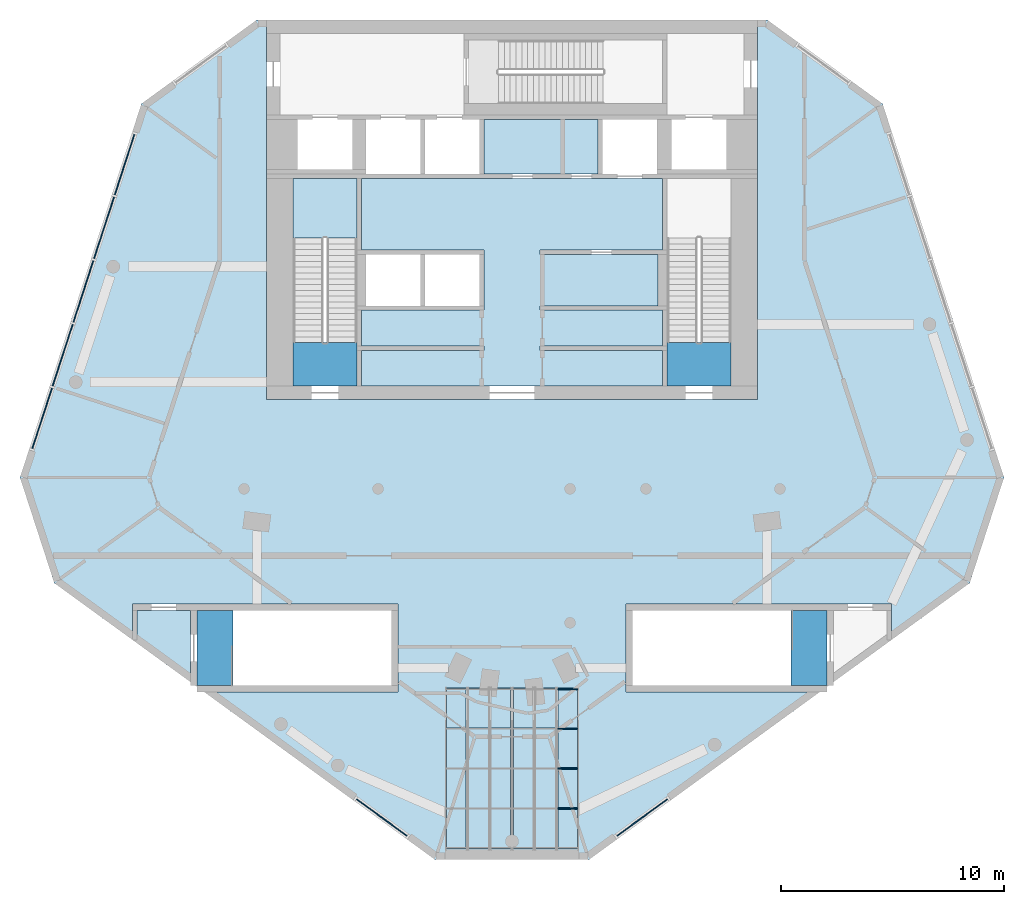
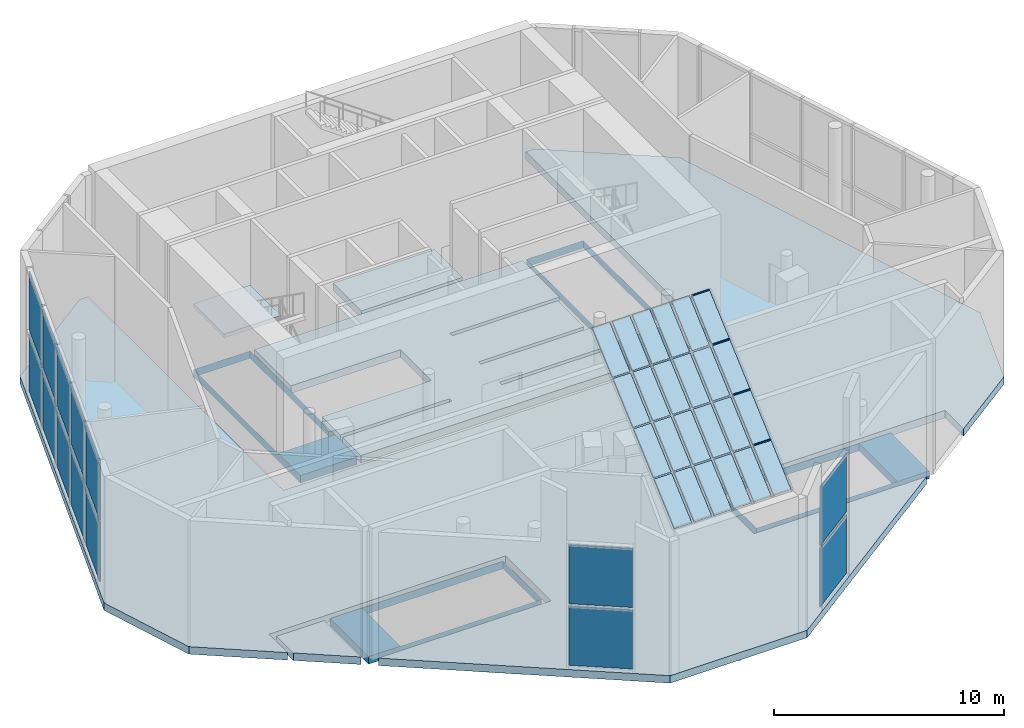
# One storey, part 3 of 9: 38 plates, 9 slabs, 4 members, 10 elements without a shape of their own.
"""IFC4 building model written with IfcOpenShell, lengths in metres."""

from ifc_helpers import new_model, si_unit, direction, frame, origin, origin_2d, place, context, subcontext, project, spatial, polyline, rectangle, outline, extrude, material, layer, layer_set, material_profile, profile_set, type_object, element, aggregate, save


model = new_model("IFC4")

# Units and contexts
model_context = context("Model", 3, precision=1e-05, world=origin(), true_north=direction((0.0, 1.0)))
body_context = subcontext(model_context, "Body", "Model", "MODEL_VIEW")
ifc_project = project(units=[si_unit("LENGTHUNIT", "METRE"), si_unit("AREAUNIT", "SQUARE_METRE"), si_unit("VOLUMEUNIT", "CUBIC_METRE"), si_unit("PLANEANGLEUNIT", "RADIAN"), si_unit("MASSUNIT", "GRAM", prefix="KILO")], contexts=[model_context])

# Site, building, storey
site_placement = place(None, origin())
site = spatial("IfcSite", under=ifc_project, at=site_placement, CompositionType="ELEMENT")
building_placement = place(site_placement, origin())
building = spatial("IfcBuilding", under=site, at=building_placement, Name="White Candle Pilgrim Tower", CompositionType="ELEMENT")
storey_placement = place(building_placement, frame((0.0, 0.0, 321.699951171875)))
storey = spatial("IfcBuildingStorey", under=building, at=storey_placement, Name="L76", CompositionType="ELEMENT", Elevation=321.699951171875)

# Curtain wall, members
ifc_material_1 = material(Name="Aluminium and glass", Category="aluminium")
curtain_wall_type_1 = type_object("IfcCurtainWallType", Name="Skylight CW6 sloped glazing", PredefinedType="NOTDEFINED", material=ifc_material_1)
curtain_wall_1_placement = place(storey_placement, origin())
curtain_wall_1 = element("IfcCurtainWall", 1, at=curtain_wall_1_placement, inside=storey, type_object=curtain_wall_type_1, Name="Skylight sloped curtain wall 6", PredefinedType="NOTDEFINED")
ifc_material_2 = material(Name="Aluminium", Category="aluminium")
ifc_material_profile = material_profile(ifc_material_2, rectangle(XDim=0.050048828125, YDim=0.159912109375, at=origin_2d()), Name="CW6 transom 50x160")
ifc_profile_set = profile_set([ifc_material_profile], Name="Aluminium")
member_type = type_object("IfcMemberType", Name="CW6 transom 50x160", PredefinedType="USERDEFINED", material=ifc_profile_set)
member_1_placement = place(storey_placement, frame((72.06005859375, 52.682861328125, 8.884765625), z_axis=(1.0, 0.0, 0.0), x_axis=(0.0, 1.0, 0.0)))
member_1 = element("IfcMember", 2, at=member_1_placement, type_object=member_type, Name="Skylight transom 6.2", ObjectType="TRANSOM", PredefinedType="USERDEFINED", context=body_context, shape_type="SweptSolid", body=[
    extrude(rectangle(XDim=0.050048828125, YDim=0.159912109375, at=origin_2d()), origin(), (0.0, 0.0, 1.0), 0.8798828125),
])
member_2_placement = place(storey_placement, frame((72.06005859375, 54.472412109375, 10.46923828125), z_axis=(1.0, 0.0, 0.0), x_axis=(0.0, 1.0, 0.0)))
member_2 = element("IfcMember", 3, at=member_2_placement, type_object=member_type, Name="Skylight transom 6.3", ObjectType="TRANSOM", PredefinedType="USERDEFINED", context=body_context, shape_type="SweptSolid", body=[
    extrude(rectangle(XDim=0.050048828125, YDim=0.159912109375, at=origin_2d()), origin(), (0.0, 0.0, 1.0), 0.8798828125),
])
member_3_placement = place(storey_placement, frame((72.06005859375, 56.261962890625, 12.053955078125), z_axis=(1.0, 0.0, 0.0), x_axis=(0.0, 1.0, 0.0)))
member_3 = element("IfcMember", 4, at=member_3_placement, type_object=member_type, Name="Skylight transom 6.4", ObjectType="TRANSOM", PredefinedType="USERDEFINED", context=body_context, shape_type="SweptSolid", body=[
    extrude(rectangle(XDim=0.050048828125, YDim=0.159912109375, at=origin_2d()), origin(), (0.0, 0.0, 1.0), 0.8798828125),
])
member_4_placement = place(storey_placement, frame((72.06005859375, 58.026611328125, 13.616455078125), z_axis=(1.0, 0.0, 0.0), x_axis=(0.0, 1.0, 0.0)))
member_4 = element("IfcMember", 5, at=member_4_placement, type_object=member_type, Name="Skylight transom 6.5", ObjectType="TRANSOM", PredefinedType="USERDEFINED", context=body_context, shape_type="SweptSolid", body=[
    extrude(rectangle(XDim=0.050048828125, YDim=0.159912109375, at=origin_2d()), origin(), (0.0, 0.0, 1.0), 0.8798828125),
])

# Curtain wall, plates
curtain_wall_type_2 = type_object("IfcCurtainWallType", Name="Curtain wall CW5 observation deck glazing", PredefinedType="NOTDEFINED", material=ifc_material_1)
curtain_wall_2_placement = place(storey_placement, origin())
curtain_wall_2 = element("IfcCurtainWall", 6, at=curtain_wall_2_placement, inside=storey, type_object=curtain_wall_type_2, Name="Curtain wall CW5 L76 SW", PredefinedType="NOTDEFINED")
ifc_material_3 = material(Name="Glass, triple glazed", Category="glass")
ifc_layer_1 = layer(ifc_material_3, 0.048095703125)
ifc_layer_set_1 = layer_set([ifc_layer_1], Name="CW5 glazing panel 48")
plate_type_1 = type_object("IfcPlateType", Name="CW5 glazing panel 48", PredefinedType="CURTAIN_PANEL", material=ifc_layer_set_1)
plate_1_placement = place(storey_placement, frame((64.167236328125, 52.279052734375, 0.16015625), z_axis=(0.0, 0.0, 1.0), x_axis=(0.809016990692, -0.587785257362, 0.0)))
plate_1 = element("IfcPlate", 7, at=plate_1_placement, type_object=plate_type_1, Name="CW5 panel 1.1", PredefinedType="CURTAIN_PANEL", context=body_context, shape_type="SweptSolid", body=[
    extrude(rectangle(XDim=2.800048828125, YDim=0.048095703125, at=origin_2d()), origin(), (0.0, 0.0, 1.0), 3.110107421875),
])
plate_2_placement = place(storey_placement, frame((64.167236328125, 52.279052734375, 3.43017578125), z_axis=(0.0, 0.0, 1.0), x_axis=(0.809016990692, -0.587785257362, 0.0)))
plate_2 = element("IfcPlate", 8, at=plate_2_placement, type_object=plate_type_1, Name="CW5 panel 1.2", PredefinedType="CURTAIN_PANEL", context=body_context, shape_type="SweptSolid", body=[
    extrude(rectangle(XDim=2.800048828125, YDim=0.048095703125, at=origin_2d()), origin(), (0.0, 0.0, 1.0), 3.110107421875),
])
aggregate(curtain_wall_2, [plate_1, plate_2])

curtain_wall_3_placement = place(storey_placement, origin())
curtain_wall_3 = element("IfcCurtainWall", 9, at=curtain_wall_3_placement, inside=storey, type_object=curtain_wall_type_2, Name="Curtain wall CW5 L76 SE", PredefinedType="NOTDEFINED")
plate_3_placement = place(storey_placement, frame((75.832763671875, 52.279052734375, 0.16015625), z_axis=(0.0, 0.0, 1.0), x_axis=(0.809016990815, 0.587785257192, 0.0)))
plate_3 = element("IfcPlate", 10, at=plate_3_placement, type_object=plate_type_1, Name="CW5 panel 1.1", PredefinedType="CURTAIN_PANEL", context=body_context, shape_type="SweptSolid", body=[
    extrude(rectangle(XDim=2.800048828125, YDim=0.048095703125, at=origin_2d()), origin(), (0.0, 0.0, 1.0), 3.110107421875),
])
plate_4_placement = place(storey_placement, frame((75.832763671875, 52.279052734375, 3.43017578125), z_axis=(0.0, 0.0, 1.0), x_axis=(0.809016990815, 0.587785257192, 0.0)))
plate_4 = element("IfcPlate", 11, at=plate_4_placement, type_object=plate_type_1, Name="CW5 panel 1.2", PredefinedType="CURTAIN_PANEL", context=body_context, shape_type="SweptSolid", body=[
    extrude(rectangle(XDim=2.800048828125, YDim=0.048095703125, at=origin_2d()), origin(), (0.0, 0.0, 1.0), 3.110107421875),
])
aggregate(curtain_wall_3, [plate_3, plate_4])

curtain_wall_4_placement = place(storey_placement, origin())
curtain_wall_4 = element("IfcCurtainWall", 12, at=curtain_wall_4_placement, inside=storey, type_object=curtain_wall_type_2, Name="Curtain wall CW5 L76 WNW", PredefinedType="NOTDEFINED")
plate_5_placement = place(storey_placement, frame((52.64892578125, 81.52392578125, 0.16015625), z_axis=(0.0, 0.0, 1.0), x_axis=(-0.309016996931, -0.951056515465, 0.0)))
plate_5 = element("IfcPlate", 13, at=plate_5_placement, type_object=plate_type_1, Name="CW5 panel 1.1", PredefinedType="CURTAIN_PANEL", context=body_context, shape_type="SweptSolid", body=[
    extrude(rectangle(XDim=2.85009765625, YDim=0.048095703125, at=origin_2d()), origin(), (0.0, 0.0, 1.0), 3.110107421875),
])
plate_6_placement = place(storey_placement, frame((52.64892578125, 81.52392578125, 3.43017578125), z_axis=(0.0, 0.0, 1.0), x_axis=(-0.309016996931, -0.951056515465, 0.0)))
plate_6 = element("IfcPlate", 14, at=plate_6_placement, type_object=plate_type_1, Name="CW5 panel 1.2", PredefinedType="CURTAIN_PANEL", context=body_context, shape_type="SweptSolid", body=[
    extrude(rectangle(XDim=2.85009765625, YDim=0.048095703125, at=origin_2d()), origin(), (0.0, 0.0, 1.0), 3.110107421875),
])
plate_7_placement = place(storey_placement, frame((51.7294921875, 78.694580078125, 0.16015625), z_axis=(0.0, 0.0, 1.0), x_axis=(-0.309016996931, -0.951056515465, 0.0)))
plate_7 = element("IfcPlate", 15, at=plate_7_placement, type_object=plate_type_1, Name="CW5 panel 2.1", PredefinedType="CURTAIN_PANEL", context=body_context, shape_type="SweptSolid", body=[
    extrude(rectangle(XDim=2.89990234375, YDim=0.048095703125, at=origin_2d()), origin(), (0.0, 0.0, 1.0), 3.110107421875),
])
plate_8_placement = place(storey_placement, frame((51.7294921875, 78.694580078125, 3.43017578125), z_axis=(0.0, 0.0, 1.0), x_axis=(-0.309016996931, -0.951056515465, 0.0)))
plate_8 = element("IfcPlate", 16, at=plate_8_placement, type_object=plate_type_1, Name="CW5 panel 2.2", PredefinedType="CURTAIN_PANEL", context=body_context, shape_type="SweptSolid", body=[
    extrude(rectangle(XDim=2.89990234375, YDim=0.048095703125, at=origin_2d()), origin(), (0.0, 0.0, 1.0), 3.110107421875),
])
plate_9_placement = place(storey_placement, frame((50.802490234375, 75.84130859375, 0.16015625), z_axis=(0.0, 0.0, 1.0), x_axis=(-0.309016996931, -0.951056515465, 0.0)))
plate_9 = element("IfcPlate", 17, at=plate_9_placement, type_object=plate_type_1, Name="CW5 panel 3.1", PredefinedType="CURTAIN_PANEL", context=body_context, shape_type="SweptSolid", body=[
    extrude(rectangle(XDim=2.89990234375, YDim=0.048095703125, at=origin_2d()), origin(), (0.0, 0.0, 1.0), 3.110107421875),
])
plate_10_placement = place(storey_placement, frame((50.802490234375, 75.84130859375, 3.43017578125), z_axis=(0.0, 0.0, 1.0), x_axis=(-0.309016996931, -0.951056515465, 0.0)))
plate_10 = element("IfcPlate", 18, at=plate_10_placement, type_object=plate_type_1, Name="CW5 panel 3.2", PredefinedType="CURTAIN_PANEL", context=body_context, shape_type="SweptSolid", body=[
    extrude(rectangle(XDim=2.89990234375, YDim=0.048095703125, at=origin_2d()), origin(), (0.0, 0.0, 1.0), 3.110107421875),
])
plate_11_placement = place(storey_placement, frame((49.87548828125, 72.98828125, 0.16015625), z_axis=(0.0, 0.0, 1.0), x_axis=(-0.309016996931, -0.951056515465, 0.0)))
plate_11 = element("IfcPlate", 19, at=plate_11_placement, type_object=plate_type_1, Name="CW5 panel 4.1", PredefinedType="CURTAIN_PANEL", context=body_context, shape_type="SweptSolid", body=[
    extrude(rectangle(XDim=2.89990234375, YDim=0.048095703125, at=origin_2d()), origin(), (0.0, 0.0, 1.0), 3.110107421875),
])
plate_12_placement = place(storey_placement, frame((49.87548828125, 72.98828125, 3.43017578125), z_axis=(0.0, 0.0, 1.0), x_axis=(-0.309016996931, -0.951056515465, 0.0)))
plate_12 = element("IfcPlate", 20, at=plate_12_placement, type_object=plate_type_1, Name="CW5 panel 4.2", PredefinedType="CURTAIN_PANEL", context=body_context, shape_type="SweptSolid", body=[
    extrude(rectangle(XDim=2.89990234375, YDim=0.048095703125, at=origin_2d()), origin(), (0.0, 0.0, 1.0), 3.110107421875),
])
plate_13_placement = place(storey_placement, frame((48.9560546875, 70.158935546875, 0.16015625), z_axis=(0.0, 0.0, 1.0), x_axis=(-0.309016996931, -0.951056515465, 0.0)))
plate_13 = element("IfcPlate", 21, at=plate_13_placement, type_object=plate_type_1, Name="CW5 panel 5.1", PredefinedType="CURTAIN_PANEL", context=body_context, shape_type="SweptSolid", body=[
    extrude(rectangle(XDim=2.85009765625, YDim=0.048095703125, at=origin_2d()), origin(), (0.0, 0.0, 1.0), 3.110107421875),
])
plate_14_placement = place(storey_placement, frame((48.9560546875, 70.158935546875, 3.43017578125), z_axis=(0.0, 0.0, 1.0), x_axis=(-0.309016996931, -0.951056515465, 0.0)))
plate_14 = element("IfcPlate", 22, at=plate_14_placement, type_object=plate_type_1, Name="CW5 panel 5.2", PredefinedType="CURTAIN_PANEL", context=body_context, shape_type="SweptSolid", body=[
    extrude(rectangle(XDim=2.85009765625, YDim=0.048095703125, at=origin_2d()), origin(), (0.0, 0.0, 1.0), 3.110107421875),
])
aggregate(curtain_wall_4, [plate_5, plate_6, plate_7, plate_8, plate_9, plate_10, plate_11, plate_12, plate_13, plate_14])

curtain_wall_5_placement = place(storey_placement, origin())
curtain_wall_5 = element("IfcCurtainWall", 23, at=curtain_wall_5_placement, inside=storey, type_object=curtain_wall_type_1, Name="Skylight sloped curtain wall 1", PredefinedType="NOTDEFINED")
ifc_layer_2 = layer(ifc_material_3, 0.0439453125)
ifc_layer_set_2 = layer_set([ifc_layer_2], Name="CW6 glazing panel 44")
plate_type_2 = type_object("IfcPlateType", Name="CW6 glazing panel 44", PredefinedType="CURTAIN_PANEL", material=ifc_layer_set_2)
plate_15_placement = place(storey_placement, frame((67.06005859375, 50.893310546875, 7.340087890625), z_axis=(0.0, -0.662973875904, 0.748642531432), x_axis=(1.0, 0.0, 0.0)))
plate_15 = element("IfcPlate", 24, at=plate_15_placement, type_object=plate_type_2, Name="Skylight panel 1.1", PredefinedType="CURTAIN_PANEL", context=body_context, shape_type="SweptSolid", body=[
    extrude(outline(polyline([(0.0, 0.0), (0.8798828125, 0.0), (0.8798828125, 2.3568047803818977), (0.0, 2.3568047803818977), (0.0, 0.0)])), origin(), (0.0, 0.0, -1.0), 0.0439453125),
])
plate_16_placement = place(storey_placement, frame((67.06005859375, 52.707763671875, 8.94677734375), z_axis=(0.0, -0.662882145574, 0.748723754852), x_axis=(1.0, 0.0, 0.0)))
plate_16 = element("IfcPlate", 25, at=plate_16_placement, type_object=plate_type_2, Name="Skylight panel 1.2", PredefinedType="CURTAIN_PANEL", context=body_context, shape_type="SweptSolid", body=[
    extrude(outline(polyline([(0.0, 0.0), (0.8798828125, 0.0), (0.8798828125, 2.3236154622801504), (0.0, 2.3236154622801504), (0.0, 0.0)])), origin(), (0.0, 0.0, -1.0), 0.0439453125),
])
plate_17_placement = place(storey_placement, frame((67.06005859375, 54.497314453125, 10.531494140625), z_axis=(0.0, -0.662882145574, 0.748723754852), x_axis=(1.0, 0.0, 0.0)))
plate_17 = element("IfcPlate", 26, at=plate_17_placement, type_object=plate_type_2, Name="Skylight panel 1.3", PredefinedType="CURTAIN_PANEL", context=body_context, shape_type="SweptSolid", body=[
    extrude(outline(polyline([(0.0, 0.0), (0.8798828125, 0.0), (0.8798828125, 2.3236154622801504), (0.0, 2.3236154622801504), (0.0, 0.0)])), origin(), (0.0, 0.0, -1.0), 0.0439453125),
])
plate_18_placement = place(storey_placement, frame((67.06005859375, 56.287109375, 12.115966796875), z_axis=(0.0, -0.662922463623, 0.748688057354), x_axis=(1.0, 0.0, 0.0)))
plate_18 = element("IfcPlate", 27, at=plate_18_placement, type_object=plate_type_2, Name="Skylight panel 1.4", PredefinedType="CURTAIN_PANEL", context=body_context, shape_type="SweptSolid", body=[
    extrude(outline(polyline([(0.0, 0.0), (0.8798828125, 0.0), (0.8798828125, 2.3569875599950016), (0.0, 2.3569875599950016), (0.0, 0.0)])), origin(), (0.0, 0.0, -1.0), 0.0439453125),
])
aggregate(curtain_wall_5, [plate_15, plate_16, plate_17, plate_18])

curtain_wall_6_placement = place(storey_placement, origin())
curtain_wall_6 = element("IfcCurtainWall", 28, at=curtain_wall_6_placement, inside=storey, type_object=curtain_wall_type_1, Name="Skylight sloped curtain wall 2", PredefinedType="NOTDEFINED")
plate_19_placement = place(storey_placement, frame((68.06005859375, 50.893310546875, 7.340087890625), z_axis=(0.0, -0.662973875904, 0.748642531432), x_axis=(1.0, 0.0, 0.0)))
plate_19 = element("IfcPlate", 29, at=plate_19_placement, type_object=plate_type_2, Name="Skylight panel 2.1", PredefinedType="CURTAIN_PANEL", context=body_context, shape_type="SweptSolid", body=[
    extrude(outline(polyline([(0.0, 0.0), (0.8798828125, 0.0), (0.8798828125, 2.3568047803818977), (0.0, 2.3568047803818977), (0.0, 0.0)])), origin(), (0.0, 0.0, -1.0), 0.0439453125),
])
plate_20_placement = place(storey_placement, frame((68.06005859375, 52.707763671875, 8.94677734375), z_axis=(0.0, -0.662882145574, 0.748723754852), x_axis=(1.0, 0.0, 0.0)))
plate_20 = element("IfcPlate", 30, at=plate_20_placement, type_object=plate_type_2, Name="Skylight panel 2.2", PredefinedType="CURTAIN_PANEL", context=body_context, shape_type="SweptSolid", body=[
    extrude(outline(polyline([(0.0, 0.0), (0.8798828125, 0.0), (0.8798828125, 2.3236154622801504), (0.0, 2.3236154622801504), (0.0, 0.0)])), origin(), (0.0, 0.0, -1.0), 0.0439453125),
])
plate_21_placement = place(storey_placement, frame((68.06005859375, 54.497314453125, 10.531494140625), z_axis=(0.0, -0.662882145574, 0.748723754852), x_axis=(1.0, 0.0, 0.0)))
plate_21 = element("IfcPlate", 31, at=plate_21_placement, type_object=plate_type_2, Name="Skylight panel 2.3", PredefinedType="CURTAIN_PANEL", context=body_context, shape_type="SweptSolid", body=[
    extrude(outline(polyline([(0.0, 0.0), (0.8798828125, 0.0), (0.8798828125, 2.3236154622801504), (0.0, 2.3236154622801504), (0.0, 0.0)])), origin(), (0.0, 0.0, -1.0), 0.0439453125),
])
plate_22_placement = place(storey_placement, frame((68.06005859375, 56.287109375, 12.115966796875), z_axis=(0.0, -0.662922463623, 0.748688057354), x_axis=(1.0, 0.0, 0.0)))
plate_22 = element("IfcPlate", 32, at=plate_22_placement, type_object=plate_type_2, Name="Skylight panel 2.4", PredefinedType="CURTAIN_PANEL", context=body_context, shape_type="SweptSolid", body=[
    extrude(outline(polyline([(0.0, 0.0), (0.8798828125, 0.0), (0.8798828125, 2.3569875599950016), (0.0, 2.3569875599950016), (0.0, 0.0)])), origin(), (0.0, 0.0, -1.0), 0.0439453125),
])
aggregate(curtain_wall_6, [plate_19, plate_20, plate_21, plate_22])

curtain_wall_7_placement = place(storey_placement, origin())
curtain_wall_7 = element("IfcCurtainWall", 33, at=curtain_wall_7_placement, inside=storey, type_object=curtain_wall_type_1, Name="Skylight sloped curtain wall 3", PredefinedType="NOTDEFINED")
plate_23_placement = place(storey_placement, frame((69.06005859375, 50.893310546875, 7.340087890625), z_axis=(0.0, -0.662973875904, 0.748642531432), x_axis=(1.0, 0.0, 0.0)))
plate_23 = element("IfcPlate", 34, at=plate_23_placement, type_object=plate_type_2, Name="Skylight panel 3.1", PredefinedType="CURTAIN_PANEL", context=body_context, shape_type="SweptSolid", body=[
    extrude(outline(polyline([(0.0, 0.0), (0.8798828125, 0.0), (0.8798828125, 2.3568047803818977), (0.0, 2.3568047803818977), (0.0, 0.0)])), origin(), (0.0, 0.0, -1.0), 0.0439453125),
])
plate_24_placement = place(storey_placement, frame((69.06005859375, 52.707763671875, 8.94677734375), z_axis=(0.0, -0.662882145574, 0.748723754852), x_axis=(1.0, 0.0, 0.0)))
plate_24 = element("IfcPlate", 35, at=plate_24_placement, type_object=plate_type_2, Name="Skylight panel 3.2", PredefinedType="CURTAIN_PANEL", context=body_context, shape_type="SweptSolid", body=[
    extrude(outline(polyline([(0.0, 0.0), (0.8798828125, 0.0), (0.8798828125, 2.3236154622801504), (0.0, 2.3236154622801504), (0.0, 0.0)])), origin(), (0.0, 0.0, -1.0), 0.0439453125),
])
plate_25_placement = place(storey_placement, frame((69.06005859375, 54.497314453125, 10.531494140625), z_axis=(0.0, -0.662882145574, 0.748723754852), x_axis=(1.0, 0.0, 0.0)))
plate_25 = element("IfcPlate", 36, at=plate_25_placement, type_object=plate_type_2, Name="Skylight panel 3.3", PredefinedType="CURTAIN_PANEL", context=body_context, shape_type="SweptSolid", body=[
    extrude(outline(polyline([(0.0, 0.0), (0.8798828125, 0.0), (0.8798828125, 2.3236154622801504), (0.0, 2.3236154622801504), (0.0, 0.0)])), origin(), (0.0, 0.0, -1.0), 0.0439453125),
])
plate_26_placement = place(storey_placement, frame((69.06005859375, 56.287109375, 12.115966796875), z_axis=(0.0, -0.662922463623, 0.748688057354), x_axis=(1.0, 0.0, 0.0)))
plate_26 = element("IfcPlate", 37, at=plate_26_placement, type_object=plate_type_2, Name="Skylight panel 3.4", PredefinedType="CURTAIN_PANEL", context=body_context, shape_type="SweptSolid", body=[
    extrude(outline(polyline([(0.0, 0.0), (0.8798828125, 0.0), (0.8798828125, 2.3569875599950016), (0.0, 2.3569875599950016), (0.0, 0.0)])), origin(), (0.0, 0.0, -1.0), 0.0439453125),
])
aggregate(curtain_wall_7, [plate_23, plate_24, plate_25, plate_26])

curtain_wall_8_placement = place(storey_placement, origin())
curtain_wall_8 = element("IfcCurtainWall", 38, at=curtain_wall_8_placement, inside=storey, type_object=curtain_wall_type_1, Name="Skylight sloped curtain wall 4", PredefinedType="NOTDEFINED")
plate_27_placement = place(storey_placement, frame((70.06005859375, 50.893310546875, 7.340087890625), z_axis=(0.0, -0.662973875904, 0.748642531432), x_axis=(1.0, 0.0, 0.0)))
plate_27 = element("IfcPlate", 39, at=plate_27_placement, type_object=plate_type_2, Name="Skylight panel 4.1", PredefinedType="CURTAIN_PANEL", context=body_context, shape_type="SweptSolid", body=[
    extrude(outline(polyline([(0.0, 0.0), (0.8798828125, 0.0), (0.8798828125, 2.3568047803818977), (0.0, 2.3568047803818977), (0.0, 0.0)])), origin(), (0.0, 0.0, -1.0), 0.0439453125),
])
plate_28_placement = place(storey_placement, frame((70.06005859375, 52.707763671875, 8.94677734375), z_axis=(0.0, -0.662882145574, 0.748723754852), x_axis=(1.0, 0.0, 0.0)))
plate_28 = element("IfcPlate", 40, at=plate_28_placement, type_object=plate_type_2, Name="Skylight panel 4.2", PredefinedType="CURTAIN_PANEL", context=body_context, shape_type="SweptSolid", body=[
    extrude(outline(polyline([(0.0, 0.0), (0.8798828125, 0.0), (0.8798828125, 2.3236154622801504), (0.0, 2.3236154622801504), (0.0, 0.0)])), origin(), (0.0, 0.0, -1.0), 0.0439453125),
])
plate_29_placement = place(storey_placement, frame((70.06005859375, 54.497314453125, 10.531494140625), z_axis=(0.0, -0.662882145574, 0.748723754852), x_axis=(1.0, 0.0, 0.0)))
plate_29 = element("IfcPlate", 41, at=plate_29_placement, type_object=plate_type_2, Name="Skylight panel 4.3", PredefinedType="CURTAIN_PANEL", context=body_context, shape_type="SweptSolid", body=[
    extrude(outline(polyline([(0.0, 0.0), (0.8798828125, 0.0), (0.8798828125, 2.3236154622801504), (0.0, 2.3236154622801504), (0.0, 0.0)])), origin(), (0.0, 0.0, -1.0), 0.0439453125),
])
plate_30_placement = place(storey_placement, frame((70.06005859375, 56.287109375, 12.115966796875), z_axis=(0.0, -0.662922463623, 0.748688057354), x_axis=(1.0, 0.0, 0.0)))
plate_30 = element("IfcPlate", 42, at=plate_30_placement, type_object=plate_type_2, Name="Skylight panel 4.4", PredefinedType="CURTAIN_PANEL", context=body_context, shape_type="SweptSolid", body=[
    extrude(outline(polyline([(0.0, 0.0), (0.8798828125, 0.0), (0.8798828125, 2.3569875599950016), (0.0, 2.3569875599950016), (0.0, 0.0)])), origin(), (0.0, 0.0, -1.0), 0.0439453125),
])
aggregate(curtain_wall_8, [plate_27, plate_28, plate_29, plate_30])

curtain_wall_9_placement = place(storey_placement, origin())
curtain_wall_9 = element("IfcCurtainWall", 43, at=curtain_wall_9_placement, inside=storey, type_object=curtain_wall_type_1, Name="Skylight sloped curtain wall 5", PredefinedType="NOTDEFINED")
plate_31_placement = place(storey_placement, frame((71.06005859375, 50.893310546875, 7.340087890625), z_axis=(0.0, -0.662973875904, 0.748642531432), x_axis=(1.0, 0.0, 0.0)))
plate_31 = element("IfcPlate", 44, at=plate_31_placement, type_object=plate_type_2, Name="Skylight panel 5.1", PredefinedType="CURTAIN_PANEL", context=body_context, shape_type="SweptSolid", body=[
    extrude(outline(polyline([(0.0, 0.0), (0.8798828125, 0.0), (0.8798828125, 2.3568047803818977), (0.0, 2.3568047803818977), (0.0, 0.0)])), origin(), (0.0, 0.0, -1.0), 0.0439453125),
])
plate_32_placement = place(storey_placement, frame((71.06005859375, 52.707763671875, 8.94677734375), z_axis=(0.0, -0.662882145574, 0.748723754852), x_axis=(1.0, 0.0, 0.0)))
plate_32 = element("IfcPlate", 45, at=plate_32_placement, type_object=plate_type_2, Name="Skylight panel 5.2", PredefinedType="CURTAIN_PANEL", context=body_context, shape_type="SweptSolid", body=[
    extrude(outline(polyline([(0.0, 0.0), (0.8798828125, 0.0), (0.8798828125, 2.3236154622801504), (0.0, 2.3236154622801504), (0.0, 0.0)])), origin(), (0.0, 0.0, -1.0), 0.0439453125),
])
plate_33_placement = place(storey_placement, frame((71.06005859375, 54.497314453125, 10.531494140625), z_axis=(0.0, -0.662882145574, 0.748723754852), x_axis=(1.0, 0.0, 0.0)))
plate_33 = element("IfcPlate", 46, at=plate_33_placement, type_object=plate_type_2, Name="Skylight panel 5.3", PredefinedType="CURTAIN_PANEL", context=body_context, shape_type="SweptSolid", body=[
    extrude(outline(polyline([(0.0, 0.0), (0.8798828125, 0.0), (0.8798828125, 2.3236154622801504), (0.0, 2.3236154622801504), (0.0, 0.0)])), origin(), (0.0, 0.0, -1.0), 0.0439453125),
])
plate_34_placement = place(storey_placement, frame((71.06005859375, 56.287109375, 12.115966796875), z_axis=(0.0, -0.662922463623, 0.748688057354), x_axis=(1.0, 0.0, 0.0)))
plate_34 = element("IfcPlate", 47, at=plate_34_placement, type_object=plate_type_2, Name="Skylight panel 5.4", PredefinedType="CURTAIN_PANEL", context=body_context, shape_type="SweptSolid", body=[
    extrude(outline(polyline([(0.0, 0.0), (0.8798828125, 0.0), (0.8798828125, 2.3569875599950016), (0.0, 2.3569875599950016), (0.0, 0.0)])), origin(), (0.0, 0.0, -1.0), 0.0439453125),
])
aggregate(curtain_wall_9, [plate_31, plate_32, plate_33, plate_34])

# Plate
plate_35_placement = place(storey_placement, frame((72.06005859375, 50.893310546875, 7.340087890625), z_axis=(0.0, -0.662973875904, 0.748642531432), x_axis=(1.0, 0.0, 0.0)))
plate_35 = element("IfcPlate", 48, at=plate_35_placement, type_object=plate_type_2, Name="Skylight panel 6.1", PredefinedType="CURTAIN_PANEL", context=body_context, shape_type="SweptSolid", body=[
    extrude(outline(polyline([(0.0, 0.0), (0.8798828125, 0.0), (0.8798828125, 2.3568047803818977), (0.0, 2.3568047803818977), (0.0, 0.0)])), origin(), (0.0, 0.0, -1.0), 0.0439453125),
])

plate_36_placement = place(storey_placement, frame((72.06005859375, 52.707763671875, 8.94677734375), z_axis=(0.0, -0.662882145574, 0.748723754852), x_axis=(1.0, 0.0, 0.0)))
plate_36 = element("IfcPlate", 49, at=plate_36_placement, type_object=plate_type_2, Name="Skylight panel 6.2", PredefinedType="CURTAIN_PANEL", context=body_context, shape_type="SweptSolid", body=[
    extrude(outline(polyline([(0.0, 0.0), (0.8798828125, 0.0), (0.8798828125, 2.3236154622801504), (0.0, 2.3236154622801504), (0.0, 0.0)])), origin(), (0.0, 0.0, -1.0), 0.0439453125),
])

plate_37_placement = place(storey_placement, frame((72.06005859375, 54.497314453125, 10.531494140625), z_axis=(0.0, -0.662882145574, 0.748723754852), x_axis=(1.0, 0.0, 0.0)))
plate_37 = element("IfcPlate", 50, at=plate_37_placement, type_object=plate_type_2, Name="Skylight panel 6.3", PredefinedType="CURTAIN_PANEL", context=body_context, shape_type="SweptSolid", body=[
    extrude(outline(polyline([(0.0, 0.0), (0.8798828125, 0.0), (0.8798828125, 2.3236154622801504), (0.0, 2.3236154622801504), (0.0, 0.0)])), origin(), (0.0, 0.0, -1.0), 0.0439453125),
])

plate_38_placement = place(storey_placement, frame((72.06005859375, 56.287109375, 12.115966796875), z_axis=(0.0, -0.662922463623, 0.748688057354), x_axis=(1.0, 0.0, 0.0)))
plate_38 = element("IfcPlate", 51, at=plate_38_placement, type_object=plate_type_2, Name="Skylight panel 6.4", PredefinedType="CURTAIN_PANEL", context=body_context, shape_type="SweptSolid", body=[
    extrude(outline(polyline([(0.0, 0.0), (0.8798828125, 0.0), (0.8798828125, 2.3569875599950016), (0.0, 2.3569875599950016), (0.0, 0.0)])), origin(), (0.0, 0.0, -1.0), 0.0439453125),
])

aggregate(curtain_wall_1, [member_1, member_2, member_3, member_4, plate_35, plate_36, plate_37, plate_38])

# Slabs
ifc_material_4 = material(Name="Concrete C40/50", Category="concrete")
ifc_layer_3 = layer(ifc_material_4, 0.39990234375)
ifc_layer_set_3 = layer_set([ifc_layer_3], Name="Core floor slab 400 mm Concrete C40/50")
slab_type_1 = type_object("IfcSlabType", Name="Core floor slab 400 mm Concrete C40/50", PredefinedType="FLOOR", material=ifc_layer_set_3)
slab_1_placement = place(storey_placement, frame((0.0, 0.0, -0.39990234375)))
element("IfcSlab", 52, at=slab_1_placement, inside=storey, type_object=slab_type_1, Name="CF-L76-01", PredefinedType="FLOOR", context=body_context, shape_type="SweptSolid", body=[
    extrude(outline(polyline([(64.60009765625, 58.199951171875), (55.89990234375, 58.199951171875), (55.89990234375, 61.550048828125), (64.60009765625, 61.550048828125), (64.60009765625, 58.199951171875)]), holes=[polyline([(57.501953125, 61.548095703125), (57.501953125, 58.201904296875), (64.597900390625, 58.201904296875), (64.597900390625, 61.548095703125), (57.501953125, 61.548095703125)])]), origin(), (0.0, 0.0, 1.0), 0.39990234375),
])
slab_2_placement = place(storey_placement, frame((0.0, 0.0, -0.39990234375)))
element("IfcSlab", 53, at=slab_2_placement, inside=storey, type_object=slab_type_1, Name="CF-L76-02", PredefinedType="FLOOR", context=body_context, shape_type="SweptSolid", body=[
    extrude(outline(polyline([(75.39990234375, 58.199951171875), (75.39990234375, 61.550048828125), (84.10009765625, 61.550048828125), (84.10009765625, 58.199951171875), (75.39990234375, 58.199951171875)]), holes=[polyline([(82.498046875, 58.201904296875), (82.498046875, 61.548095703125), (75.402099609375, 61.548095703125), (75.402099609375, 58.201904296875), (82.498046875, 58.201904296875)])]), origin(), (0.0, 0.0, 1.0), 0.39990234375),
])
slab_3_placement = place(storey_placement, frame((0.0, 0.0, -0.39990234375)))
element("IfcSlab", 54, at=slab_3_placement, inside=storey, type_object=slab_type_1, Name="CF-L76-03", PredefinedType="FLOOR", context=body_context, shape_type="SweptSolid", body=[
    extrude(outline(polyline([(53.199951171875, 60.238037109375), (53.199951171875, 61.550048828125), (55.60009765625, 61.550048828125), (55.60009765625, 58.348876953125), (53.199951171875, 60.0927734375), (53.199951171875, 60.238037109375)])), origin(), (0.0, 0.0, 1.0), 0.39990234375),
])
slab_4_placement = place(storey_placement, frame((0.0, 0.0, -0.39990234375)))
element("IfcSlab", 55, at=slab_4_placement, inside=storey, type_object=slab_type_1, Name="CF-L76-05", PredefinedType="FLOOR", context=body_context, shape_type="SweptSolid", body=[
    extrude(outline(polyline([(76.949951171875, 71.60009765625), (76.949951171875, 73.199951171875), (76.949951171875, 73.39990234375), (76.949951171875, 75.0), (76.949951171875, 75.199951171875), (76.949951171875, 77.5), (76.949951171875, 77.699951171875), (76.949951171875, 80.89990234375), (79.800048828125, 80.89990234375), (79.800048828125, 71.60009765625), (76.949951171875, 71.60009765625)]), holes=[polyline([(76.951904296875, 73.552001953125), (79.798095703125, 73.552001953125), (79.798095703125, 80.89794921875), (76.951904296875, 80.89794921875), (76.951904296875, 73.552001953125)])]), origin(), (0.0, 0.0, 1.0), 0.39990234375),
])
slab_5_placement = place(storey_placement, frame((0.0, 0.0, -0.39990234375)))
element("IfcSlab", 56, at=slab_5_placement, inside=storey, type_object=slab_type_1, Name="CF-L76-06", PredefinedType="FLOOR", context=body_context, shape_type="SweptSolid", body=[
    extrude(outline(polyline([(63.25, 71.60009765625), (63.25, 73.199951171875), (68.75, 73.199951171875), (68.75, 73.39990234375), (63.25, 73.39990234375), (63.25, 75.0), (68.75, 75.0), (68.75, 75.199951171875), (68.75, 77.5), (68.75, 77.699951171875), (63.25, 77.699951171875), (63.25, 80.89990234375), (76.75, 80.89990234375), (76.75, 77.699951171875), (71.25, 77.699951171875), (71.25, 77.5), (76.550048828125, 77.5), (76.550048828125, 75.199951171875), (71.25, 75.199951171875), (71.25, 75.0), (76.75, 75.0), (76.75, 73.39990234375), (71.25, 73.39990234375), (71.25, 73.199951171875), (76.75, 73.199951171875), (76.75, 71.60009765625), (63.25, 71.60009765625)])), origin(), (0.0, 0.0, 1.0), 0.39990234375),
])
slab_6_placement = place(storey_placement, frame((0.0, 0.0, -0.39990234375)))
element("IfcSlab", 57, at=slab_6_placement, inside=storey, type_object=slab_type_1, Name="CF-L76-07", PredefinedType="FLOOR", context=body_context, shape_type="SweptSolid", body=[
    extrude(outline(polyline([(60.199951171875, 71.60009765625), (60.199951171875, 80.89990234375), (63.050048828125, 80.89990234375), (63.050048828125, 77.699951171875), (63.050048828125, 77.5), (63.050048828125, 75.199951171875), (63.050048828125, 75.0), (63.050048828125, 73.39990234375), (63.050048828125, 73.199951171875), (63.050048828125, 71.60009765625), (60.199951171875, 71.60009765625)]), holes=[polyline([(60.201904296875, 73.552001953125), (63.048095703125, 73.552001953125), (63.048095703125, 80.89794921875), (60.201904296875, 80.89794921875), (60.201904296875, 73.552001953125)])]), origin(), (0.0, 0.0, 1.0), 0.39990234375),
])
slab_7_placement = place(storey_placement, frame((0.0, 0.0, -0.39990234375)))
element("IfcSlab", 58, at=slab_7_placement, inside=storey, type_object=slab_type_1, Name="CF-L76-11", PredefinedType="FLOOR", context=body_context, shape_type="SweptSolid", body=[
    extrude(outline(polyline([(73.85009765625, 83.550048828125), (73.85009765625, 81.10009765625), (68.75, 81.10009765625), (68.75, 83.550048828125), (73.85009765625, 83.550048828125)])), origin(), (0.0, 0.0, 1.0), 0.39990234375),
])
ifc_layer_4 = layer(ifc_material_4, 0.39990234375)
ifc_layer_set_4 = layer_set([ifc_layer_4], Name="Floor slab 400 REI 120")
slab_type_2 = type_object("IfcSlabType", Name="Floor slab 400 REI 120", PredefinedType="FLOOR", material=ifc_layer_set_4)
slab_8_placement = place(storey_placement, frame((0.0, 0.0, -0.39990234375)))
element("IfcSlab", 59, at=slab_8_placement, inside=storey, type_object=slab_type_2, Name="L76 floor slab", PredefinedType="FLOOR", context=body_context, shape_type="SweptSolid", body=[
    extrude(outline(polyline([(66.552490234375, 50.3916015625), (73.447509765625, 50.3916015625), (83.781982421875, 57.89990234375), (75.10009765625, 57.89990234375), (75.10009765625, 61.85009765625), (87.0, 61.85009765625), (87.0, 60.238037109375), (90.50048828125, 62.78125), (92.03662109375, 67.508544921875), (86.59619140625, 84.25146484375), (81.43701171875, 88.0), (81.0, 88.0), (81.0, 71.0), (59.0, 71.0), (59.0, 88.0), (58.56298828125, 88.0), (53.40380859375, 84.25146484375), (47.96337890625, 67.508544921875), (49.49951171875, 62.78125), (53.0, 60.238037109375), (53.0, 61.85009765625), (64.89990234375, 61.85009765625), (64.89990234375, 57.89990234375), (56.218017578125, 57.89990234375), (66.552490234375, 50.3916015625)])), origin(), (0.0, 0.0, 1.0), 0.39990234375),
])

# Stair, slab
stair_type = type_object("IfcStairType", Name="Exit stair 1 flight width 1350 mm", PredefinedType="HALF_TURN_STAIR", material=ifc_material_4)
stair_placement = place(storey_placement, origin())
stair = element("IfcStair", 60, at=stair_placement, inside=storey, type_object=stair_type, Name="L76 stair 1", PredefinedType="NOTDEFINED")
ifc_layer_5 = layer(ifc_material_4, 0.199951171875)
ifc_layer_set_5 = layer_set([ifc_layer_5], Name="Stair landing Concrete C40/50")
slab_type_3 = type_object("IfcSlabType", Name="Stair landing Concrete C40/50", PredefinedType="LANDING", material=ifc_layer_set_5)
slab_9_placement = place(storey_placement, frame((0.0, 0.0, 3.300048828125)))
slab_9 = element("IfcSlab", 61, at=slab_9_placement, type_object=slab_type_3, Name="ST1 landing 1", PredefinedType="LANDING", context=body_context, shape_type="SweptSolid", body=[
    extrude(outline(polyline([(63.052001953125, 78.22802734375), (60.197998046875, 78.22802734375), (60.197998046875, 80.902099609375), (63.052001953125, 80.902099609375), (63.052001953125, 78.22802734375)])), origin(), (0.0, 0.0, 1.0), 0.199951171875),
])
aggregate(stair, [slab_9])

save(model, "model.ifc")
